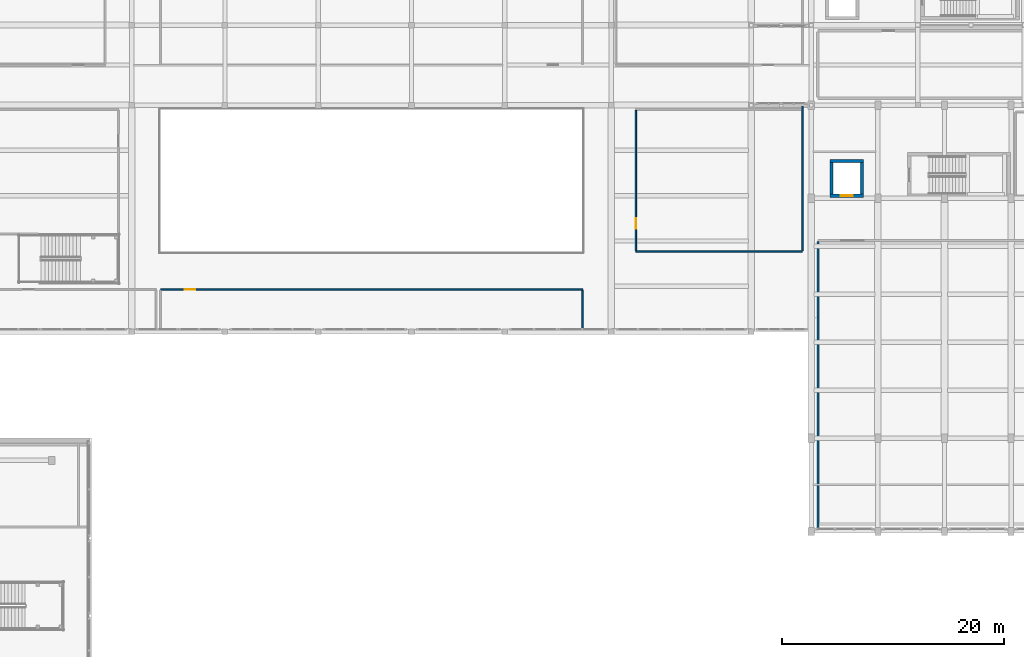
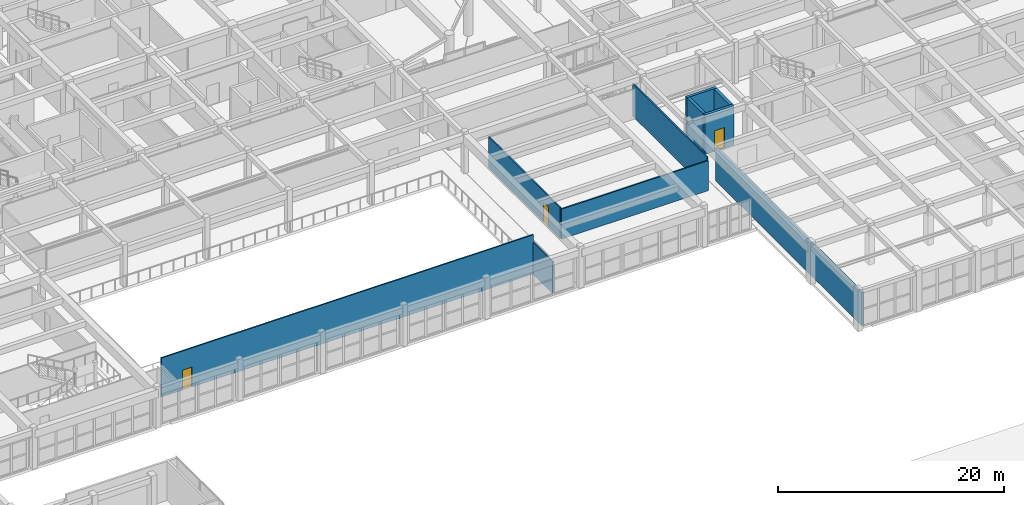
# One storey, part 65 of 92: 10 walls, 3 doors, 3 openings.
"""IFC4 building model written with IfcOpenShell, lengths in metres."""

from ifc_helpers import new_model, si_unit, direction, frame, frame_2d, origin, place, context, subcontext, project, spatial, rectangle, extrude, material, layer, layer_set, type_object, element, fill, save


model = new_model("IFC4")

# Units and contexts
model_context = context("Model", 3, precision=1e-05, world=origin(), true_north=direction((0.0, 1.0)))
body_context = subcontext(model_context, "Body", "Model", "MODEL_VIEW")
ifc_project = project(units=[si_unit("LENGTHUNIT", "METRE"), si_unit("AREAUNIT", "SQUARE_METRE"), si_unit("VOLUMEUNIT", "CUBIC_METRE"), si_unit("PLANEANGLEUNIT", "RADIAN"), si_unit("MASSUNIT", "GRAM", prefix="KILO")], contexts=[model_context])

# Site, building, storey
site_placement = place(None, origin())
site = spatial("IfcSite", under=ifc_project, at=site_placement, CompositionType="ELEMENT")
building_placement = place(site_placement, origin())
building = spatial("IfcBuilding", under=site, at=building_placement, Name="Tarnavel Promenade Courthouse", CompositionType="ELEMENT")
storey_placement = place(building_placement, frame((0.0, 0.0, 5.39990234375)))
storey = spatial("IfcBuildingStorey", under=building, at=storey_placement, Name="L02", CompositionType="ELEMENT", Elevation=5.39990234375)

# Wall
ifc_material_1 = material(Name="Concrete C40/50", Category="concrete")
ifc_layer_1 = layer(ifc_material_1, 0.280029296875)
ifc_layer_set_1 = layer_set([ifc_layer_1], Name="Concrete C40/50")
wall_type_1 = type_object("IfcWallType", Name="Concrete C40/50 WL-SHR-280 (280 mm)", PredefinedType="SHEAR", material=ifc_layer_set_1)
wall_1_placement = place(storey_placement, frame((121.699951171875, 62.159912109375, 0.0), z_axis=(0.0, 0.0, 1.0), x_axis=(1.0, 0.0, 0.0)))
element("IfcWall", 1, at=wall_1_placement, inside=storey, type_object=wall_type_1, Name="L02 L-PUB4 Lift Shaft North Wall", PredefinedType="SHEAR", context=body_context, shape_type="SweptSolid", body=[
    extrude(rectangle(XDim=3.0, YDim=0.280029296875, at=frame_2d((1.5, 0.0))), origin(), (0.0, 0.0, 1.0), 4.239990234375),
])

# Wall, opening, door
wall_2_placement = place(storey_placement, frame((124.699951171875, 59.0400390625, 0.0), z_axis=(0.0, 0.0, 1.0), x_axis=(-1.0, 0.0, 0.0)))
wall_2 = element("IfcWall", 2, at=wall_2_placement, inside=storey, type_object=wall_type_1, Name="L02 L-PUB4 Lift Shaft South Wall", PredefinedType="SHEAR", context=body_context, shape_type="SweptSolid", body=[
    extrude(rectangle(XDim=3.0, YDim=0.280029296875, at=frame_2d((1.5, 0.0))), origin(), (0.0, 0.0, 1.0), 4.239990234375),
])
opening_1_placement = place(wall_2_placement, frame((0.97509765625, 0.0, 0.0)))
opening_1 = element("IfcOpeningElement", 3, at=opening_1_placement, cuts=wall_2, Name="Opening LD-02", PredefinedType="OPENING", context=body_context, shape_type="SweptSolid", body=[
    extrude(rectangle(XDim=1.050048828125, YDim=2.199951171875, at=frame_2d((0.52490234375, 1.10009765625))), frame((0.0, 0.14990234375, 0.0), z_axis=(0.0, -1.0, 0.0), x_axis=(1.0, 0.0, 0.0)), (0.0, 0.0, 1.0), 0.300048828125),
])
ifc_material_2 = material(Name="Brushed Bronze Passenger Lift Landing Sliding Door")
door_type_1 = type_object("IfcDoorType", Name="Brushed Bronze Passenger Lift Landing Sliding Door (LD-PUB-1050x2200)", OperationType="NOTDEFINED", PredefinedType="DOOR", material=ifc_material_2)
door_1_placement = place(opening_1_placement, origin())
door_1 = element("IfcDoor", 4, at=door_1_placement, inside=storey, type_object=door_type_1, Name="L02 L-PUB4 Lift Sliding Landing Door", OperationType="DOUBLE_DOOR_SLIDING", OverallHeight=2.199951171875, OverallWidth=1.050048828125, PredefinedType="DOOR", context=body_context, shape_type="SweptSolid", body=[
    extrude(rectangle(XDim=1.050048828125, YDim=2.199951171875, at=frame_2d((0.52490234375, 1.10009765625))), frame((0.0, 0.02490234375, 0.0), z_axis=(0.0, -1.0, 0.0), x_axis=(1.0, 0.0, 0.0)), (0.0, 0.0, 1.0), 0.050048828125),
])
fill(opening_1, door_1)

# Walls
for number, where, z_axis, x_axis, name in (
    (5, (121.840087890625, 59.179931640625, 0.0), (0.0, 0.0, 1.0), (0.0, 1.0, 0.0), "L02 L-PUB4 Lift Shaft West Wall"),
    (6, (124.56005859375, 62.02001953125, 0.0), (0.0, 0.0, 1.0), (0.0, -1.0, 0.0), "L02 L-PUB4 Lift Shaft East Wall"),
):
    element("IfcWall", number, at=place(storey_placement, frame(where, z_axis=z_axis, x_axis=x_axis)), inside=storey, type_object=wall_type_1, Name=name, PredefinedType="SHEAR", context=body_context, shape_type="SweptSolid", body=[
        extrude(rectangle(XDim=2.840087890625, YDim=0.280029296875, at=frame_2d((1.419921875, 0.0))), origin(), (0.0, 0.0, 1.0), 4.239990234375),
    ])
ifc_material_3 = material(Name="Double-Stud Acoustic Courtroom Partition Assembly", Category="gypsum")
ifc_layer_2 = layer(ifc_material_3, 0.18505859375)
ifc_layer_set_2 = layer_set([ifc_layer_2], Name="Double-Stud Acoustic Courtroom Partition Assembly")
wall_type_2 = type_object("IfcWallType", Name="Double-Stud Acoustic Courtroom Partition Assembly WL-CRT-185 (185 mm)", PredefinedType="PARTITIONING", material=ifc_layer_set_2)
wall_3_placement = place(storey_placement, frame((120.60009765625, 29.110107421875, 0.0), z_axis=(0.0, 0.0, 1.0), x_axis=(0.0, 1.0, 0.0)))
element("IfcWall", 7, at=wall_3_placement, inside=storey, type_object=wall_type_2, Name="L02 High Appellate Hearing Courtroom Partition 0354", PredefinedType="PARTITIONING", context=body_context, shape_type="SweptSolid", body=[
    extrude(rectangle(XDim=25.787353515625, YDim=0.18505859375, at=frame_2d((12.8935546875, 0.0))), origin(), (0.0, 0.0, 1.0), 3.570068359375),
])

# Wall, opening, door
ifc_material_4 = material(Name="Metal-Stud Acoustic Gypsum Partition", Category="gypsum")
ifc_layer_3 = layer(ifc_material_4, 0.135009765625)
ifc_layer_set_3 = layer_set([ifc_layer_3], Name="Metal-Stud Acoustic Gypsum Partition")
wall_type_3 = type_object("IfcWallType", Name="Metal-Stud Acoustic Gypsum Partition WL-OFF-135 (135 mm)", PredefinedType="PARTITIONING", material=ifc_layer_set_3)
wall_4_placement = place(storey_placement, frame((61.39990234375, 50.60009765625, 0.0), z_axis=(0.0, 0.0, 1.0), x_axis=(1.0, 0.0, 0.0)))
wall_4 = element("IfcWall", 8, at=wall_4_placement, inside=storey, type_object=wall_type_3, Name="L02 First Balcony Community Seminar and Exhibition Room Partition 0327", PredefinedType="PARTITIONING", context=body_context, shape_type="SweptSolid", body=[
    extrude(rectangle(XDim=38.0, YDim=0.135009765625, at=frame_2d((19.0, 0.0))), origin(), (0.0, 0.0, 1.0), 4.22509765625),
])
opening_2_placement = place(wall_4_placement, frame((2.16748046875, 0.0, 0.0)))
opening_2 = element("IfcOpeningElement", 9, at=opening_2_placement, cuts=wall_4, Name="Opening ID-06", PredefinedType="OPENING", context=body_context, shape_type="SweptSolid", body=[
    extrude(rectangle(XDim=0.949951171875, YDim=2.14990234375, at=frame_2d((0.47509765625, 1.074951171875))), frame((0.0, 0.077392578125, 0.0), z_axis=(0.0, -1.0, 0.0), x_axis=(1.0, 0.0, 0.0)), (0.0, 0.0, 1.0), 0.155029296875),
])
ifc_material_5 = material(Name="Acoustic Timber Veneer Office Door", Category="wood")
door_type_2 = type_object("IfcDoorType", Name="Acoustic Timber Veneer Office Door (DR-OFF-0950x2150)", OperationType="NOTDEFINED", PredefinedType="DOOR", material=ifc_material_5)
door_2_placement = place(opening_2_placement, origin())
door_2 = element("IfcDoor", 10, at=door_2_placement, inside=storey, type_object=door_type_2, Name="L02 First Balcony Community Seminar and Exhibition Room Door 0094", OperationType="SINGLE_SWING_RIGHT", OverallHeight=2.14990234375, OverallWidth=0.949951171875, PredefinedType="DOOR", context=body_context, shape_type="SweptSolid", body=[
    extrude(rectangle(XDim=0.949951171875, YDim=2.14990234375, at=frame_2d((0.47509765625, 1.074951171875))), frame((0.0, 0.02490234375, 0.0), z_axis=(0.0, -1.0, 0.0), x_axis=(1.0, 0.0, 0.0)), (0.0, 0.0, 1.0), 0.050048828125),
])
fill(opening_2, door_2)

# Walls
wall_5_placement = place(storey_placement, frame((99.39990234375, 50.5224609375, 0.0), z_axis=(0.0, 0.0, 1.0), x_axis=(0.0, -1.0, 0.0)))
element("IfcWall", 11, at=wall_5_placement, inside=storey, type_object=wall_type_3, Name="L02 First Balcony Community Seminar and Exhibition Room Partition 0329", PredefinedType="PARTITIONING", context=body_context, shape_type="SweptSolid", body=[
    extrude(rectangle(XDim=3.432373046875, YDim=0.135009765625, at=frame_2d((1.71630859375, 0.0))), origin(), (0.0, 0.0, 1.0), 3.43017578125),
])
wall_6_placement = place(storey_placement, frame((119.199951171875, 54.0, 0.0), z_axis=(0.0, 0.0, 1.0), x_axis=(-1.0, 0.0, 0.0)))
element("IfcWall", 12, at=wall_6_placement, inside=storey, type_object=wall_type_3, Name="L02 First Balcony Judicial Press and Public Records Room Partition 0343", PredefinedType="PARTITIONING", context=body_context, shape_type="SweptSolid", body=[
    extrude(rectangle(XDim=15.0, YDim=0.135009765625, at=frame_2d((7.5, 0.0))), origin(), (0.0, 0.0, 1.0), 3.22998046875),
])

# Wall, opening, door
wall_7_placement = place(storey_placement, frame((104.199951171875, 54.077392578125, 0.0), z_axis=(0.0, 0.0, 1.0), x_axis=(0.0, 1.0, 0.0)))
wall_7 = element("IfcWall", 13, at=wall_7_placement, inside=storey, type_object=wall_type_3, Name="L02 First Balcony Judicial Press and Public Records Room Partition 0344", PredefinedType="PARTITIONING", context=body_context, shape_type="SweptSolid", body=[
    extrude(rectangle(XDim=12.64501953125, YDim=0.135009765625, at=frame_2d((6.322509765625, 0.0))), origin(), (0.0, 0.0, 1.0), 3.330078125),
])
opening_3_placement = place(wall_7_placement, frame((1.999267578125, 0.0, 0.0)))
opening_3 = element("IfcOpeningElement", 14, at=opening_3_placement, cuts=wall_7, Name="Opening ID-06", PredefinedType="OPENING", context=body_context, shape_type="SweptSolid", body=[
    extrude(rectangle(XDim=0.949951171875, YDim=2.14990234375, at=frame_2d((0.47509765625, 1.074951171875))), frame((0.0, 0.077392578125, 0.0), z_axis=(0.0, -1.0, 0.0), x_axis=(1.0, 0.0, 0.0)), (0.0, 0.0, 1.0), 0.155029296875),
])
door_3_placement = place(opening_3_placement, origin())
door_3 = element("IfcDoor", 15, at=door_3_placement, inside=storey, type_object=door_type_2, Name="L02 First Balcony Judicial Press and Public Records Room Door 0098", OperationType="SINGLE_SWING_RIGHT", OverallHeight=2.14990234375, OverallWidth=0.949951171875, PredefinedType="DOOR", context=body_context, shape_type="SweptSolid", body=[
    extrude(rectangle(XDim=0.949951171875, YDim=2.14990234375, at=frame_2d((0.47509765625, 1.074951171875))), frame((0.0, 0.02490234375, 0.0), z_axis=(0.0, -1.0, 0.0), x_axis=(1.0, 0.0, 0.0)), (0.0, 0.0, 1.0), 0.050048828125),
])
fill(opening_3, door_3)

# Wall
wall_8_placement = place(storey_placement, frame((119.199951171875, 67.239990234375, 0.0), z_axis=(0.0, 0.0, 1.0), x_axis=(0.0, -1.0, 0.0)))
element("IfcWall", 16, at=wall_8_placement, inside=storey, type_object=wall_type_3, Name="L02 First Balcony Judicial Press and Public Records Room Partition 0345", PredefinedType="PARTITIONING", context=body_context, shape_type="SweptSolid", body=[
    extrude(rectangle(XDim=13.16259765625, YDim=0.135009765625, at=frame_2d((6.581298828125, 0.0))), origin(), (0.0, 0.0, 1.0), 3.530029296875),
])

save(model, "model.ifc")
